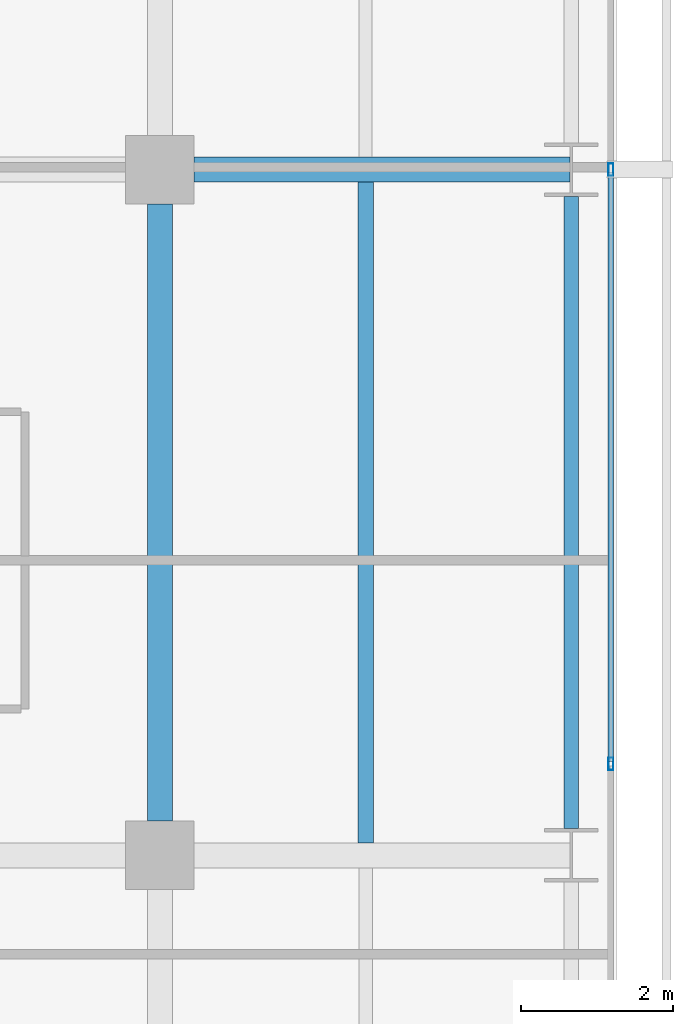
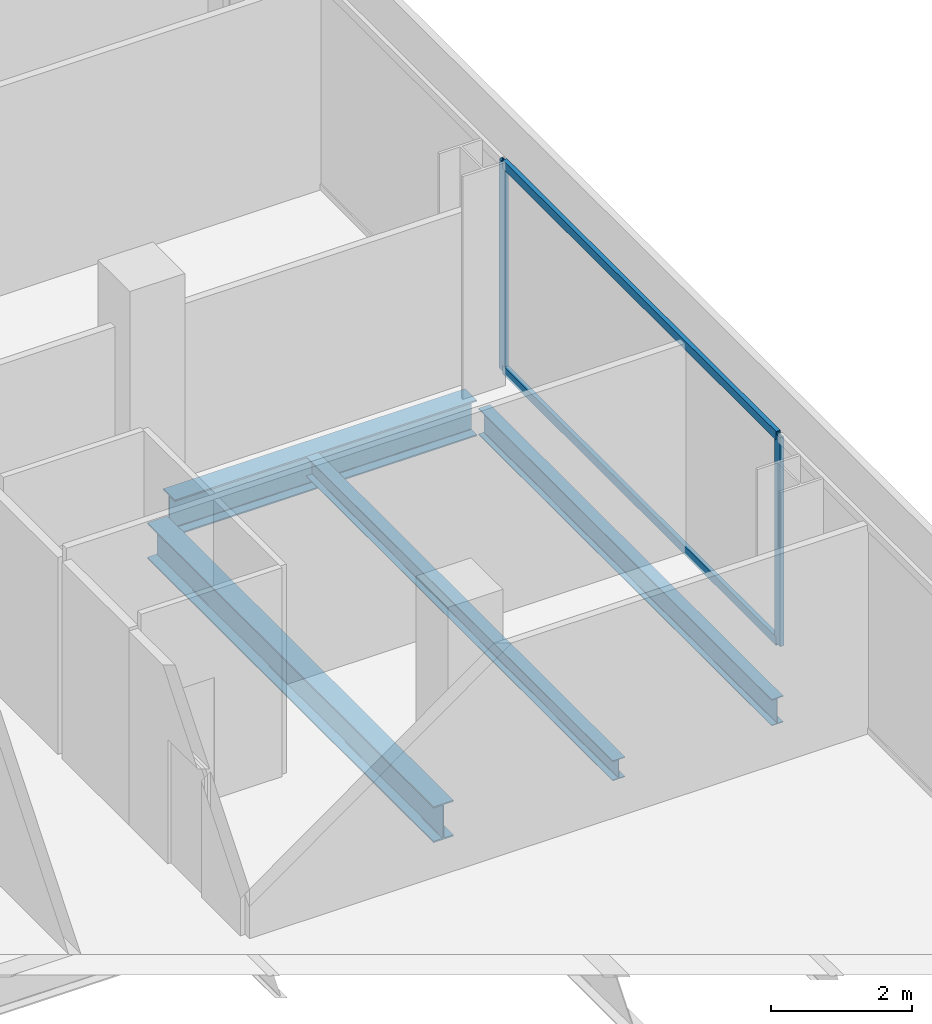
# One storey, part 19 of 40: 4 beams, 4 members, 1 element without a shape of its own.
"""IFC4 building model written with IfcOpenShell, lengths in metres."""

from ifc_helpers import new_model, si_unit, direction, frame, origin, origin_2d, place, context, subcontext, project, spatial, hollow_rectangle, i_section, extrude, material, layer, layer_set, material_profile, profile_set, type_object, element, aggregate, save


model = new_model("IFC4")

# Units and contexts
model_context = context("Model", 3, precision=1e-05, world=origin(), true_north=direction((0.0, 1.0)))
body_context = subcontext(model_context, "Body", "Model", "MODEL_VIEW")
ifc_project = project(units=[si_unit("LENGTHUNIT", "METRE"), si_unit("AREAUNIT", "SQUARE_METRE"), si_unit("VOLUMEUNIT", "CUBIC_METRE"), si_unit("PLANEANGLEUNIT", "RADIAN"), si_unit("MASSUNIT", "GRAM", prefix="KILO")], contexts=[model_context])

# Site, building, storey
site_placement = place(None, origin())
site = spatial("IfcSite", under=ifc_project, at=site_placement, CompositionType="ELEMENT")
building_placement = place(site_placement, origin())
building = spatial("IfcBuilding", under=site, at=building_placement, Name="Maruvema Waterfront Hotel and Observation Tower", CompositionType="ELEMENT")
storey_placement = place(building_placement, frame((0.0, 0.0, 42.35009765625)))
storey = spatial("IfcBuildingStorey", under=building, at=storey_placement, Name="L09", CompositionType="ELEMENT", Elevation=42.35009765625)

# Curtain wall, members
ifc_material_1 = material(Name="Anodised bronze aluminium and solar-control low-E IGU", Category="aluminium")
ifc_layer = layer(ifc_material_1, 0.159912109375, Name="Zone 1 Bronze Inner Thermal Curtain Wall System CW-02")
ifc_layer_set = layer_set([ifc_layer], Name="Anodised bronze aluminium and solar-control low-E IGU")
curtain_wall_type = type_object("IfcCurtainWallType", Name="Zone 1 Bronze Inner Thermal Curtain Wall System CW-02", PredefinedType="USERDEFINED", material=ifc_layer_set)
curtain_wall_placement = place(storey_placement, origin())
curtain_wall = element("IfcCurtainWall", 1, at=curtain_wall_placement, inside=storey, type_object=curtain_wall_type, Name="L09 Curtain Wall CW-L09-E", ObjectType="UNITISED CURTAIN WALL", PredefinedType="USERDEFINED")
ifc_material_2 = material(Name="Anodised architectural bronze aluminium", Category="aluminium")
ifc_material_profile_1 = material_profile(ifc_material_2, hollow_rectangle(XDim=0.070068359375, YDim=0.14990234375, WallThickness=0.00390625, at=origin_2d()), Name="ALU-T70x150")
ifc_profile_set_1 = profile_set([ifc_material_profile_1], Name="Anodised architectural bronze aluminium")
member_type_1 = type_object("IfcMemberType", Name="Curtain Wall Horizontal Transom ALU-T70x150", PredefinedType="USERDEFINED", material=ifc_profile_set_1)
member_1_placement = place(storey_placement, frame((64.719970703125, 19.22998046875, 0.02978515625), z_axis=(0.0, 1.0, 0.0), x_axis=(-1.0, 0.0, 0.0)))
member_1 = element("IfcMember", 2, at=member_1_placement, type_object=member_type_1, Name="CW-02 transom 3.1", ObjectType="TRANSOM", PredefinedType="USERDEFINED", context=body_context, shape_type="SweptSolid", body=[
    extrude(hollow_rectangle(XDim=0.070068359375, YDim=0.14990234375, WallThickness=0.00390625, at=origin_2d()), origin(), (0.0, 0.0, 1.0), 7.739990234375),
])
member_2_placement = place(storey_placement, frame((64.719970703125, 19.22998046875, 3.579833984375), z_axis=(0.0, 1.0, 0.0), x_axis=(-1.0, 0.0, 0.0)))
member_2 = element("IfcMember", 3, at=member_2_placement, type_object=member_type_1, Name="CW-02 transom 3.2", ObjectType="TRANSOM", PredefinedType="USERDEFINED", context=body_context, shape_type="SweptSolid", body=[
    extrude(hollow_rectangle(XDim=0.070068359375, YDim=0.14990234375, WallThickness=0.00390625, at=origin_2d()), origin(), (0.0, 0.0, 1.0), 7.739990234375),
])
ifc_material_3 = material(Name="Anodised architectural bronze aluminium", Category="aluminium")
ifc_material_profile_2 = material_profile(ifc_material_3, hollow_rectangle(XDim=0.06494140625, YDim=0.1650390625, WallThickness=0.00390625, at=origin_2d()), Name="ALU-M65x165")
ifc_profile_set_2 = profile_set([ifc_material_profile_2], Name="Anodised architectural bronze aluminium")
member_type_2 = type_object("IfcMemberType", Name="Curtain Wall Primary Mullion ALU-M65x165", PredefinedType="MULLION", material=ifc_profile_set_2)
member_3_placement = place(storey_placement, frame((64.719970703125, 19.199951171875, 0.0), z_axis=(0.0, 0.0, 1.0), x_axis=(-1.0, 0.0, 0.0)))
member_3 = element("IfcMember", 4, at=member_3_placement, type_object=member_type_2, Name="CW-02 mullion 3", PredefinedType="MULLION", context=body_context, shape_type="SweptSolid", body=[
    extrude(hollow_rectangle(XDim=0.06494140625, YDim=0.1650390625, WallThickness=0.00390625, at=origin_2d()), origin(), (0.0, 0.0, 1.0), 3.60986328125),
])
member_4_placement = place(storey_placement, frame((64.719970703125, 27.0, 0.0), z_axis=(0.0, 0.0, 1.0), x_axis=(-1.0, 0.0, 0.0)))
member_4 = element("IfcMember", 5, at=member_4_placement, type_object=member_type_2, Name="CW-02 mullion 4", PredefinedType="MULLION", context=body_context, shape_type="SweptSolid", body=[
    extrude(hollow_rectangle(XDim=0.06494140625, YDim=0.1650390625, WallThickness=0.00390625, at=origin_2d()), origin(), (0.0, 0.0, 1.0), 3.60986328125),
])
aggregate(curtain_wall, [member_3, member_4, member_1, member_2])

# Beams
ifc_material_4 = material(Name="Steel ASTM A572 Grade 50", Category="steel")
ifc_material_profile_3 = material_profile(ifc_material_4, i_section(OverallWidth=0.18994140625, OverallDepth=0.45703125, WebThickness=0.009033203125, FlangeThickness=0.014404296875, FilletRadius=0.014892578125, at=origin_2d()), Name="W460x74.0")
ifc_profile_set_3 = profile_set([ifc_material_profile_3], Name="Steel ASTM A572 Grade 50")
beam_type_1 = type_object("IfcBeamType", Name="Perimeter Spandrel Beam W460x74.0", PredefinedType="SPANDREL", material=ifc_profile_set_3)
beam_1_placement = place(storey_placement, frame((64.199951171875, 18.35009765625, -0.468505859375), z_axis=(0.0, 1.0, 0.0), x_axis=(-1.0, 0.0, 0.0)))
element("IfcBeam", 6, at=beam_1_placement, inside=storey, type_object=beam_type_1, Name="L09 Floor Girder NS-34", PredefinedType="SPANDREL", context=body_context, shape_type="SweptSolid", body=[
    extrude(i_section(OverallWidth=0.18994140625, OverallDepth=0.45703125, WebThickness=0.009033203125, FlangeThickness=0.014404296875, FilletRadius=0.014892578125, at=origin_2d()), origin(), (0.0, 0.0, 1.0), 8.2998046875),
])
ifc_material_5 = material(Name="Steel ASTM A572 Grade 50", Category="steel")
ifc_material_profile_4 = material_profile(ifc_material_5, i_section(OverallWidth=0.326904296875, OverallDepth=0.6220703125, WebThickness=0.015380859375, FlangeThickness=0.0244140625, FilletRadius=0.01806640625, at=origin_2d()), Name="W610x195.0")
ifc_profile_set_4 = profile_set([ifc_material_profile_4], Name="Steel ASTM A572 Grade 50")
beam_type_2 = type_object("IfcBeamType", Name="Primary Floor Girder W610x195.0", PredefinedType="BEAM", material=ifc_profile_set_4)
beam_2_placement = place(storey_placement, frame((59.25, 27.0, -0.551025390625), z_axis=(1.0, 0.0, 0.0), x_axis=(0.0, 1.0, 0.0)))
element("IfcBeam", 7, at=beam_2_placement, inside=storey, type_object=beam_type_2, Name="L09 Floor Girder EW-24", PredefinedType="BEAM", context=body_context, shape_type="SweptSolid", body=[
    extrude(i_section(OverallWidth=0.326904296875, OverallDepth=0.6220703125, WebThickness=0.015380859375, FlangeThickness=0.0244140625, FilletRadius=0.01806640625, at=origin_2d()), origin(), (0.0, 0.0, 1.0), 4.93603515625),
])
beam_3_placement = place(storey_placement, frame((58.800048828125, 18.449951171875, -0.551025390625), z_axis=(0.0, 1.0, 0.0), x_axis=(-1.0, 0.0, 0.0)))
element("IfcBeam", 8, at=beam_3_placement, inside=storey, type_object=beam_type_2, Name="L09 Floor Girder NS-29", PredefinedType="BEAM", context=body_context, shape_type="SweptSolid", body=[
    extrude(i_section(OverallWidth=0.326904296875, OverallDepth=0.6220703125, WebThickness=0.015380859375, FlangeThickness=0.0244140625, FilletRadius=0.01806640625, at=origin_2d()), origin(), (0.0, 0.0, 1.0), 8.10009765625),
])
ifc_material_6 = material(Name="Steel ASTM A572 Grade 50", Category="steel")
ifc_material_profile_5 = material_profile(ifc_material_6, i_section(OverallWidth=0.202880859375, OverallDepth=0.346923828125, WebThickness=0.0078125, FlangeThickness=0.013427734375, FilletRadius=0.014892578125, at=origin_2d()), Name="W360x64.0")
ifc_profile_set_5 = profile_set([ifc_material_profile_5], Name="Steel ASTM A572 Grade 50")
beam_type_3 = type_object("IfcBeamType", Name="Secondary Floor Joist W360x64.0", PredefinedType="JOIST", material=ifc_profile_set_5)
beam_4_placement = place(storey_placement, frame((61.5, 18.16357421875, -0.41357421875), z_axis=(0.0, 1.0, 0.0), x_axis=(-1.0, 0.0, 0.0)))
element("IfcBeam", 9, at=beam_4_placement, inside=storey, type_object=beam_type_3, Name="L09 Secondary Floor Joist JS-22", PredefinedType="JOIST", context=body_context, shape_type="SweptSolid", body=[
    extrude(i_section(OverallWidth=0.202880859375, OverallDepth=0.346923828125, WebThickness=0.0078125, FlangeThickness=0.013427734375, FilletRadius=0.014892578125, at=origin_2d()), origin(), (0.0, 0.0, 1.0), 8.6728515625),
])

save(model, "model.ifc")
